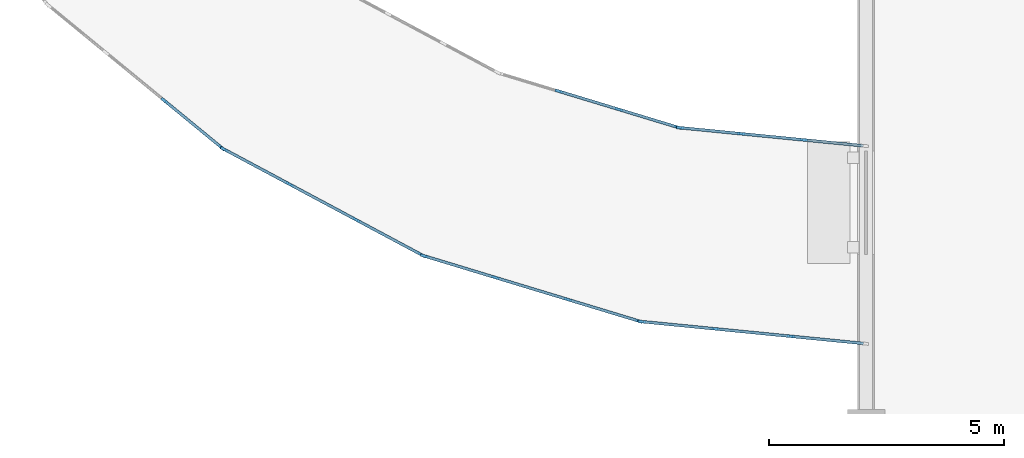
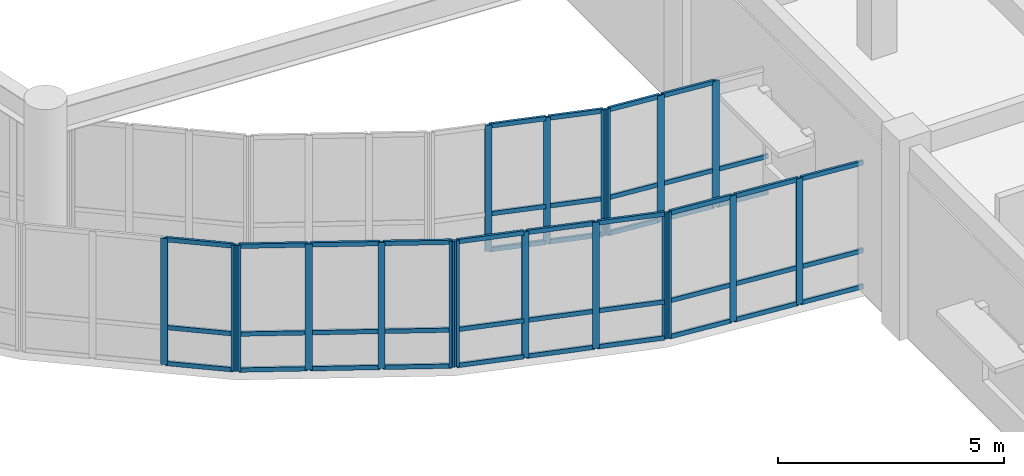
# One storey, part 31 of 72: 63 members, 6 elements without a shape of their own.
"""IFC4 building model written with IfcOpenShell, lengths in metres."""

from ifc_helpers import new_model, si_unit, direction, frame, origin, origin_2d, place, context, subcontext, project, spatial, rectangle, extrude, material, material_profile, profile_set, type_object, element, aggregate, save


model = new_model("IFC4")

# Units and contexts
model_context = context("Model", 3, precision=1e-05, world=origin(), true_north=direction((0.0, 1.0)))
body_context = subcontext(model_context, "Body", "Model", "MODEL_VIEW")
ifc_project = project(units=[si_unit("LENGTHUNIT", "METRE"), si_unit("AREAUNIT", "SQUARE_METRE"), si_unit("VOLUMEUNIT", "CUBIC_METRE"), si_unit("PLANEANGLEUNIT", "RADIAN"), si_unit("MASSUNIT", "GRAM", prefix="KILO")], contexts=[model_context])

# Site, building, storey
site_placement = place(None, origin())
site = spatial("IfcSite", under=ifc_project, at=site_placement, CompositionType="ELEMENT")
building_placement = place(site_placement, origin())
building = spatial("IfcBuilding", under=site, at=building_placement, Name="Veldera Park Congress Hotel", CompositionType="ELEMENT")
storey_placement = place(building_placement, frame((0.0, 0.0, 5.39990234375)))
storey = spatial("IfcBuildingStorey", under=building, at=storey_placement, Name="L01", CompositionType="ELEMENT", Elevation=5.39990234375)

# Curtain wall, members
ifc_material_1 = material(Name="Low-E Triple Insulating Glass Unit (SHGC 0.22)", Category="glass")
curtain_wall_type = type_object("IfcCurtainWallType", Name="CW-BRG", PredefinedType="NOTDEFINED", material=ifc_material_1)
curtain_wall_1_placement = place(storey_placement, origin())
curtain_wall_1 = element("IfcCurtainWall", 1, at=curtain_wall_1_placement, inside=storey, type_object=curtain_wall_type, Name="L01 Curtain Wall CW3-BRGE-L01-A04", PredefinedType="NOTDEFINED")
ifc_material_2 = material(Name="Anodised Aluminium Alloy 6063-T6", Category="aluminium")
ifc_material_profile_1 = material_profile(ifc_material_2, rectangle(XDim=0.06005859375, YDim=0.159912109375, at=origin_2d()), Name="ALU 60x160")
ifc_profile_set_1 = profile_set([ifc_material_profile_1], Name="Anodised Aluminium Alloy 6063-T6")
member_type_1 = type_object("IfcMemberType", Name="CWM-160", PredefinedType="MULLION", material=ifc_profile_set_1)
member_1_placement = place(storey_placement, frame((45.890380859375, -2.034423828125, 0.0), z_axis=(0.0, 0.0, 1.0), x_axis=(0.634402404183, 0.773002968666, 0.0)))
member_1 = element("IfcMember", 2, at=member_1_placement, type_object=member_type_1, Name="CW-BRG mullion 3", PredefinedType="MULLION", context=body_context, shape_type="SweptSolid", body=[
    extrude(rectangle(XDim=0.06005859375, YDim=0.159912109375, at=origin_2d()), origin(), (0.0, 0.0, 1.0), 3.400146484375),
])
member_2_placement = place(storey_placement, frame((47.10986328125, -3.03515625, 0.0), z_axis=(0.0, 0.0, 1.0), x_axis=(0.634402404183, 0.773002968666, 0.0)))
member_2 = element("IfcMember", 3, at=member_2_placement, type_object=member_type_1, Name="CW-BRG mullion 4", PredefinedType="MULLION", context=body_context, shape_type="SweptSolid", body=[
    extrude(rectangle(XDim=0.06005859375, YDim=0.159912109375, at=origin_2d()), origin(), (0.0, 0.0, 1.0), 3.400146484375),
])

curtain_wall_2_placement = place(storey_placement, origin())
curtain_wall_2 = element("IfcCurtainWall", 4, at=curtain_wall_2_placement, inside=storey, type_object=curtain_wall_type, Name="L01 Curtain Wall CW3-BRGE-L01-A05", PredefinedType="NOTDEFINED")
member_3_placement = place(storey_placement, frame((47.159423828125, -3.068359375, 0.0), z_axis=(0.0, 0.0, 1.0), x_axis=(0.471384501415, 0.881927804203, 0.0)))
member_3 = element("IfcMember", 5, at=member_3_placement, type_object=member_type_1, Name="CW-BRG mullion 1", PredefinedType="MULLION", context=body_context, shape_type="SweptSolid", body=[
    extrude(rectangle(XDim=0.06005859375, YDim=0.159912109375, at=origin_2d()), origin(), (0.0, 0.0, 1.0), 3.400146484375),
])
member_4_placement = place(storey_placement, frame((48.55078125, -3.81201171875, 0.0), z_axis=(0.0, 0.0, 1.0), x_axis=(0.471384501415, 0.881927804203, 0.0)))
member_4 = element("IfcMember", 6, at=member_4_placement, type_object=member_type_1, Name="CW-BRG mullion 2", PredefinedType="MULLION", context=body_context, shape_type="SweptSolid", body=[
    extrude(rectangle(XDim=0.06005859375, YDim=0.159912109375, at=origin_2d()), origin(), (0.0, 0.0, 1.0), 3.400146484375),
])
member_5_placement = place(storey_placement, frame((49.96826171875, -4.569580078125, 0.0), z_axis=(0.0, 0.0, 1.0), x_axis=(0.471384501415, 0.881927804203, 0.0)))
member_5 = element("IfcMember", 7, at=member_5_placement, type_object=member_type_1, Name="CW-BRG mullion 3", PredefinedType="MULLION", context=body_context, shape_type="SweptSolid", body=[
    extrude(rectangle(XDim=0.06005859375, YDim=0.159912109375, at=origin_2d()), origin(), (0.0, 0.0, 1.0), 3.400146484375),
])
member_6_placement = place(storey_placement, frame((51.359619140625, -5.313232421875, 0.0), z_axis=(0.0, 0.0, 1.0), x_axis=(0.471384501415, 0.881927804203, 0.0)))
member_6 = element("IfcMember", 8, at=member_6_placement, type_object=member_type_1, Name="CW-BRG mullion 4", PredefinedType="MULLION", context=body_context, shape_type="SweptSolid", body=[
    extrude(rectangle(XDim=0.06005859375, YDim=0.159912109375, at=origin_2d()), origin(), (0.0, 0.0, 1.0), 3.400146484375),
])

curtain_wall_3_placement = place(storey_placement, origin())
curtain_wall_3 = element("IfcCurtainWall", 9, at=curtain_wall_3_placement, inside=storey, type_object=curtain_wall_type, Name="L01 Curtain Wall CW3-BRGE-L01-A06", PredefinedType="NOTDEFINED")
member_7_placement = place(storey_placement, frame((51.414794921875, -5.336181640625, 0.0), z_axis=(0.0, 0.0, 1.0), x_axis=(0.290287663177, 0.956939429957, 0.0)))
member_7 = element("IfcMember", 10, at=member_7_placement, type_object=member_type_1, Name="CW-BRG mullion 1", PredefinedType="MULLION", context=body_context, shape_type="SweptSolid", body=[
    extrude(rectangle(XDim=0.06005859375, YDim=0.159912109375, at=origin_2d()), origin(), (0.0, 0.0, 1.0), 3.400146484375),
])
member_8_placement = place(storey_placement, frame((52.92431640625, -5.7939453125, 0.0), z_axis=(0.0, 0.0, 1.0), x_axis=(0.290287663177, 0.956939429957, 0.0)))
member_8 = element("IfcMember", 11, at=member_8_placement, type_object=member_type_1, Name="CW-BRG mullion 2", PredefinedType="MULLION", context=body_context, shape_type="SweptSolid", body=[
    extrude(rectangle(XDim=0.06005859375, YDim=0.159912109375, at=origin_2d()), origin(), (0.0, 0.0, 1.0), 3.400146484375),
])
member_9_placement = place(storey_placement, frame((54.462646484375, -6.2607421875, 0.0), z_axis=(0.0, 0.0, 1.0), x_axis=(0.290287663177, 0.956939429957, 0.0)))
member_9 = element("IfcMember", 12, at=member_9_placement, type_object=member_type_1, Name="CW-BRG mullion 3", PredefinedType="MULLION", context=body_context, shape_type="SweptSolid", body=[
    extrude(rectangle(XDim=0.06005859375, YDim=0.159912109375, at=origin_2d()), origin(), (0.0, 0.0, 1.0), 3.400146484375),
])
member_10_placement = place(storey_placement, frame((55.97216796875, -6.718505859375, 0.0), z_axis=(0.0, 0.0, 1.0), x_axis=(0.290287663177, 0.956939429957, 0.0)))
member_10 = element("IfcMember", 13, at=member_10_placement, type_object=member_type_1, Name="CW-BRG mullion 4", PredefinedType="MULLION", context=body_context, shape_type="SweptSolid", body=[
    extrude(rectangle(XDim=0.06005859375, YDim=0.159912109375, at=origin_2d()), origin(), (0.0, 0.0, 1.0), 3.400146484375),
])

curtain_wall_4_placement = place(storey_placement, origin())
curtain_wall_4 = element("IfcCurtainWall", 14, at=curtain_wall_4_placement, inside=storey, type_object=curtain_wall_type, Name="L01 Curtain Wall CW3-BRGE-L01-A07", PredefinedType="NOTDEFINED")
member_11_placement = place(storey_placement, frame((56.03076171875, -6.730224609375, 0.0), z_axis=(0.0, 0.0, 1.0), x_axis=(0.098021259481, 0.995184320963, 0.0)))
member_11 = element("IfcMember", 15, at=member_11_placement, type_object=member_type_1, Name="CW-BRG mullion 1", PredefinedType="MULLION", context=body_context, shape_type="SweptSolid", body=[
    extrude(rectangle(XDim=0.06005859375, YDim=0.159912109375, at=origin_2d()), origin(), (0.0, 0.0, 1.0), 3.400146484375),
])
member_12_placement = place(storey_placement, frame((57.6005859375, -6.884765625, 0.0), z_axis=(0.0, 0.0, 1.0), x_axis=(0.098021259481, 0.995184320963, 0.0)))
member_12 = element("IfcMember", 16, at=member_12_placement, type_object=member_type_1, Name="CW-BRG mullion 2", PredefinedType="MULLION", context=body_context, shape_type="SweptSolid", body=[
    extrude(rectangle(XDim=0.06005859375, YDim=0.159912109375, at=origin_2d()), origin(), (0.0, 0.0, 1.0), 3.400146484375),
])
member_13_placement = place(storey_placement, frame((59.2001953125, -7.04248046875, 0.0), z_axis=(0.0, 0.0, 1.0), x_axis=(0.098021259481, 0.995184320963, 0.0)))
member_13 = element("IfcMember", 17, at=member_13_placement, type_object=member_type_1, Name="CW-BRG mullion 3", PredefinedType="MULLION", context=body_context, shape_type="SweptSolid", body=[
    extrude(rectangle(XDim=0.06005859375, YDim=0.159912109375, at=origin_2d()), origin(), (0.0, 0.0, 1.0), 3.400146484375),
])

curtain_wall_5_placement = place(storey_placement, origin())
curtain_wall_5 = element("IfcCurtainWall", 18, at=curtain_wall_5_placement, inside=storey, type_object=curtain_wall_type, Name="L01 Curtain Wall CW3-BRGE-L01-B09", PredefinedType="NOTDEFINED")
member_14_placement = place(storey_placement, frame((59.473388671875, -2.869384765625, 0.0), z_axis=(0.0, 0.0, 1.0), x_axis=(-0.098023062513, -0.99518414337, 0.0)))
member_14 = element("IfcMember", 19, at=member_14_placement, type_object=member_type_1, Name="CW-BRG mullion 2", PredefinedType="MULLION", context=body_context, shape_type="SweptSolid", body=[
    extrude(rectangle(XDim=0.06005859375, YDim=0.159912109375, at=origin_2d()), origin(), (0.0, 0.0, 1.0), 3.400146484375),
])
member_15_placement = place(storey_placement, frame((58.146728515625, -2.73876953125, 0.0), z_axis=(0.0, 0.0, 1.0), x_axis=(-0.098023062513, -0.99518414337, 0.0)))
member_15 = element("IfcMember", 20, at=member_15_placement, type_object=member_type_1, Name="CW-BRG mullion 3", PredefinedType="MULLION", context=body_context, shape_type="SweptSolid", body=[
    extrude(rectangle(XDim=0.06005859375, YDim=0.159912109375, at=origin_2d()), origin(), (0.0, 0.0, 1.0), 3.400146484375),
])
member_16_placement = place(storey_placement, frame((56.85009765625, -2.61083984375, 0.0), z_axis=(0.0, 0.0, 1.0), x_axis=(-0.098023062513, -0.99518414337, 0.0)))
member_16 = element("IfcMember", 21, at=member_16_placement, type_object=member_type_1, Name="CW-BRG mullion 4", PredefinedType="MULLION", context=body_context, shape_type="SweptSolid", body=[
    extrude(rectangle(XDim=0.06005859375, YDim=0.159912109375, at=origin_2d()), origin(), (0.0, 0.0, 1.0), 3.400146484375),
])

curtain_wall_6_placement = place(storey_placement, origin())
curtain_wall_6 = element("IfcCurtainWall", 22, at=curtain_wall_6_placement, inside=storey, type_object=curtain_wall_type, Name="L01 Curtain Wall CW3-BRGE-L01-B10", PredefinedType="NOTDEFINED")
member_17_placement = place(storey_placement, frame((56.79150390625, -2.599365234375, 0.0), z_axis=(0.0, 0.0, 1.0), x_axis=(-0.290289846929, -0.956938767513, 0.0)))
member_17 = element("IfcMember", 23, at=member_17_placement, type_object=member_type_1, Name="CW-BRG mullion 1", PredefinedType="MULLION", context=body_context, shape_type="SweptSolid", body=[
    extrude(rectangle(XDim=0.06005859375, YDim=0.159912109375, at=origin_2d()), origin(), (0.0, 0.0, 1.0), 3.400146484375),
])
member_18_placement = place(storey_placement, frame((55.544677734375, -2.220947265625, 0.0), z_axis=(0.0, 0.0, 1.0), x_axis=(-0.290289846929, -0.956938767513, 0.0)))
member_18 = element("IfcMember", 24, at=member_18_placement, type_object=member_type_1, Name="CW-BRG mullion 2", PredefinedType="MULLION", context=body_context, shape_type="SweptSolid", body=[
    extrude(rectangle(XDim=0.06005859375, YDim=0.159912109375, at=origin_2d()), origin(), (0.0, 0.0, 1.0), 3.400146484375),
])
member_19_placement = place(storey_placement, frame((54.26904296875, -1.833984375, 0.0), z_axis=(0.0, 0.0, 1.0), x_axis=(-0.290289846929, -0.956938767513, 0.0)))
member_19 = element("IfcMember", 25, at=member_19_placement, type_object=member_type_1, Name="CW-BRG mullion 3", PredefinedType="MULLION", context=body_context, shape_type="SweptSolid", body=[
    extrude(rectangle(XDim=0.06005859375, YDim=0.159912109375, at=origin_2d()), origin(), (0.0, 0.0, 1.0), 3.400146484375),
])

# Member
ifc_material_profile_2 = material_profile(ifc_material_2, rectangle(XDim=0.06005859375, YDim=0.1201171875, at=origin_2d()), Name="ALU 60x120")
ifc_profile_set_2 = profile_set([ifc_material_profile_2], Name="Anodised Aluminium Alloy 6063-T6")
member_type_2 = type_object("IfcMemberType", Name="CWT-120", PredefinedType="USERDEFINED", material=ifc_profile_set_2)
member_20_placement = place(storey_placement, frame((45.91357421875, -2.053466796875, 0.030029296875), z_axis=(0.773038980381, -0.634358522298, 0.0), x_axis=(0.634358522298, 0.773038980381, 0.0)))
member_20 = element("IfcMember", 26, at=member_20_placement, type_object=member_type_2, Name="CW-BRG transom 3.1", ObjectType="TRANSOM", PredefinedType="USERDEFINED", context=body_context, shape_type="SweptSolid", body=[
    extrude(rectangle(XDim=0.06005859375, YDim=0.1201171875, at=origin_2d()), origin(), (0.0, 0.0, 1.0), 1.517578125),
])

member_21_placement = place(storey_placement, frame((45.91357421875, -2.053466796875, 1.0), z_axis=(0.773038980381, -0.634358522298, 0.0), x_axis=(0.634358522298, 0.773038980381, 0.0)))
member_21 = element("IfcMember", 27, at=member_21_placement, type_object=member_type_2, Name="CW-BRG transom 3.2", ObjectType="TRANSOM", PredefinedType="USERDEFINED", context=body_context, shape_type="SweptSolid", body=[
    extrude(rectangle(XDim=0.06005859375, YDim=0.1201171875, at=origin_2d()), origin(), (0.0, 0.0, 1.0), 1.517578125),
])

member_22_placement = place(storey_placement, frame((45.91357421875, -2.053466796875, 3.3701171875), z_axis=(0.773038980381, -0.634358522298, 0.0), x_axis=(0.634358522298, 0.773038980381, 0.0)))
member_22 = element("IfcMember", 28, at=member_22_placement, type_object=member_type_2, Name="CW-BRG transom 3.3", ObjectType="TRANSOM", PredefinedType="USERDEFINED", context=body_context, shape_type="SweptSolid", body=[
    extrude(rectangle(XDim=0.06005859375, YDim=0.1201171875, at=origin_2d()), origin(), (0.0, 0.0, 1.0), 1.517578125),
])

aggregate(curtain_wall_1, [member_1, member_2, member_20, member_21, member_22])

member_23_placement = place(storey_placement, frame((47.18603515625, -3.08251953125, 0.030029296875), z_axis=(0.881898221373, -0.471439844667, 0.0), x_axis=(0.471439844667, 0.881898221373, 0.0)))
member_23 = element("IfcMember", 29, at=member_23_placement, type_object=member_type_2, Name="CW-BRG transom 1.1", ObjectType="TRANSOM", PredefinedType="USERDEFINED", context=body_context, shape_type="SweptSolid", body=[
    extrude(rectangle(XDim=0.06005859375, YDim=0.1201171875, at=origin_2d()), origin(), (0.0, 0.0, 1.0), 1.517333984375),
])

member_24_placement = place(storey_placement, frame((47.18603515625, -3.08251953125, 1.0), z_axis=(0.881898221373, -0.471439844667, 0.0), x_axis=(0.471439844667, 0.881898221373, 0.0)))
member_24 = element("IfcMember", 30, at=member_24_placement, type_object=member_type_2, Name="CW-BRG transom 1.2", ObjectType="TRANSOM", PredefinedType="USERDEFINED", context=body_context, shape_type="SweptSolid", body=[
    extrude(rectangle(XDim=0.06005859375, YDim=0.1201171875, at=origin_2d()), origin(), (0.0, 0.0, 1.0), 1.517333984375),
])

member_25_placement = place(storey_placement, frame((47.18603515625, -3.08251953125, 3.3701171875), z_axis=(0.881898221373, -0.471439844667, 0.0), x_axis=(0.471439844667, 0.881898221373, 0.0)))
member_25 = element("IfcMember", 31, at=member_25_placement, type_object=member_type_2, Name="CW-BRG transom 1.3", ObjectType="TRANSOM", PredefinedType="USERDEFINED", context=body_context, shape_type="SweptSolid", body=[
    extrude(rectangle(XDim=0.06005859375, YDim=0.1201171875, at=origin_2d()), origin(), (0.0, 0.0, 1.0), 1.517333984375),
])

member_26_placement = place(storey_placement, frame((48.5771484375, -3.826171875, 0.030029296875), z_axis=(0.881981423245, -0.471284170167, 0.0), x_axis=(0.471284170167, 0.881981423245, 0.0)))
member_26 = element("IfcMember", 32, at=member_26_placement, type_object=member_type_2, Name="CW-BRG transom 2.1", ObjectType="TRANSOM", PredefinedType="USERDEFINED", context=body_context, shape_type="SweptSolid", body=[
    extrude(rectangle(XDim=0.06005859375, YDim=0.1201171875, at=origin_2d()), origin(), (0.0, 0.0, 1.0), 1.54736328125),
])

member_27_placement = place(storey_placement, frame((48.5771484375, -3.826171875, 1.0), z_axis=(0.881981423245, -0.471284170167, 0.0), x_axis=(0.471284170167, 0.881981423245, 0.0)))
member_27 = element("IfcMember", 33, at=member_27_placement, type_object=member_type_2, Name="CW-BRG transom 2.2", ObjectType="TRANSOM", PredefinedType="USERDEFINED", context=body_context, shape_type="SweptSolid", body=[
    extrude(rectangle(XDim=0.06005859375, YDim=0.1201171875, at=origin_2d()), origin(), (0.0, 0.0, 1.0), 1.54736328125),
])

member_28_placement = place(storey_placement, frame((48.5771484375, -3.826171875, 3.3701171875), z_axis=(0.881981423245, -0.471284170167, 0.0), x_axis=(0.471284170167, 0.881981423245, 0.0)))
member_28 = element("IfcMember", 34, at=member_28_placement, type_object=member_type_2, Name="CW-BRG transom 2.3", ObjectType="TRANSOM", PredefinedType="USERDEFINED", context=body_context, shape_type="SweptSolid", body=[
    extrude(rectangle(XDim=0.06005859375, YDim=0.1201171875, at=origin_2d()), origin(), (0.0, 0.0, 1.0), 1.54736328125),
])

member_29_placement = place(storey_placement, frame((49.994873046875, -4.583740234375, 0.030029296875), z_axis=(0.881898221373, -0.471439844667, 0.0), x_axis=(0.471439844667, 0.881898221373, 0.0)))
member_29 = element("IfcMember", 35, at=member_29_placement, type_object=member_type_2, Name="CW-BRG transom 3.1", ObjectType="TRANSOM", PredefinedType="USERDEFINED", context=body_context, shape_type="SweptSolid", body=[
    extrude(rectangle(XDim=0.06005859375, YDim=0.1201171875, at=origin_2d()), origin(), (0.0, 0.0, 1.0), 1.517333984375),
])

member_30_placement = place(storey_placement, frame((49.994873046875, -4.583740234375, 1.0), z_axis=(0.881898221373, -0.471439844667, 0.0), x_axis=(0.471439844667, 0.881898221373, 0.0)))
member_30 = element("IfcMember", 36, at=member_30_placement, type_object=member_type_2, Name="CW-BRG transom 3.2", ObjectType="TRANSOM", PredefinedType="USERDEFINED", context=body_context, shape_type="SweptSolid", body=[
    extrude(rectangle(XDim=0.06005859375, YDim=0.1201171875, at=origin_2d()), origin(), (0.0, 0.0, 1.0), 1.517333984375),
])

member_31_placement = place(storey_placement, frame((49.994873046875, -4.583740234375, 3.3701171875), z_axis=(0.881898221373, -0.471439844667, 0.0), x_axis=(0.471439844667, 0.881898221373, 0.0)))
member_31 = element("IfcMember", 37, at=member_31_placement, type_object=member_type_2, Name="CW-BRG transom 3.3", ObjectType="TRANSOM", PredefinedType="USERDEFINED", context=body_context, shape_type="SweptSolid", body=[
    extrude(rectangle(XDim=0.06005859375, YDim=0.1201171875, at=origin_2d()), origin(), (0.0, 0.0, 1.0), 1.517333984375),
])

aggregate(curtain_wall_2, [member_3, member_4, member_5, member_6, member_23, member_24, member_25, member_26, member_27, member_28, member_29, member_30, member_31])

member_32_placement = place(storey_placement, frame((51.443359375, -5.3447265625, 0.030029296875), z_axis=(0.956909318834, -0.290386906607, 0.0), x_axis=(0.290386906607, 0.956909318834, 0.0)))
member_32 = element("IfcMember", 38, at=member_32_placement, type_object=member_type_2, Name="CW-BRG transom 1.1", ObjectType="TRANSOM", PredefinedType="USERDEFINED", context=body_context, shape_type="SweptSolid", body=[
    extrude(rectangle(XDim=0.06005859375, YDim=0.1201171875, at=origin_2d()), origin(), (0.0, 0.0, 1.0), 1.517578125),
])

member_33_placement = place(storey_placement, frame((51.443359375, -5.3447265625, 1.0), z_axis=(0.956909318834, -0.290386906607, 0.0), x_axis=(0.290386906607, 0.956909318834, 0.0)))
member_33 = element("IfcMember", 39, at=member_33_placement, type_object=member_type_2, Name="CW-BRG transom 1.2", ObjectType="TRANSOM", PredefinedType="USERDEFINED", context=body_context, shape_type="SweptSolid", body=[
    extrude(rectangle(XDim=0.06005859375, YDim=0.1201171875, at=origin_2d()), origin(), (0.0, 0.0, 1.0), 1.517578125),
])

member_34_placement = place(storey_placement, frame((51.443359375, -5.3447265625, 3.3701171875), z_axis=(0.956909318834, -0.290386906607, 0.0), x_axis=(0.290386906607, 0.956909318834, 0.0)))
member_34 = element("IfcMember", 40, at=member_34_placement, type_object=member_type_2, Name="CW-BRG transom 1.3", ObjectType="TRANSOM", PredefinedType="USERDEFINED", context=body_context, shape_type="SweptSolid", body=[
    extrude(rectangle(XDim=0.06005859375, YDim=0.1201171875, at=origin_2d()), origin(), (0.0, 0.0, 1.0), 1.517578125),
])

member_35_placement = place(storey_placement, frame((52.952880859375, -5.802734375, 0.030029296875), z_axis=(0.9569447609, -0.29027008903, 0.0), x_axis=(0.29027008903, 0.9569447609, 0.0)))
member_35 = element("IfcMember", 41, at=member_35_placement, type_object=member_type_2, Name="CW-BRG transom 2.1", ObjectType="TRANSOM", PredefinedType="USERDEFINED", context=body_context, shape_type="SweptSolid", body=[
    extrude(rectangle(XDim=0.06005859375, YDim=0.1201171875, at=origin_2d()), origin(), (0.0, 0.0, 1.0), 1.547607421875),
])

member_36_placement = place(storey_placement, frame((52.952880859375, -5.802734375, 1.0), z_axis=(0.9569447609, -0.29027008903, 0.0), x_axis=(0.29027008903, 0.9569447609, 0.0)))
member_36 = element("IfcMember", 42, at=member_36_placement, type_object=member_type_2, Name="CW-BRG transom 2.2", ObjectType="TRANSOM", PredefinedType="USERDEFINED", context=body_context, shape_type="SweptSolid", body=[
    extrude(rectangle(XDim=0.06005859375, YDim=0.1201171875, at=origin_2d()), origin(), (0.0, 0.0, 1.0), 1.547607421875),
])

member_37_placement = place(storey_placement, frame((52.952880859375, -5.802734375, 3.3701171875), z_axis=(0.9569447609, -0.29027008903, 0.0), x_axis=(0.29027008903, 0.9569447609, 0.0)))
member_37 = element("IfcMember", 43, at=member_37_placement, type_object=member_type_2, Name="CW-BRG transom 2.3", ObjectType="TRANSOM", PredefinedType="USERDEFINED", context=body_context, shape_type="SweptSolid", body=[
    extrude(rectangle(XDim=0.06005859375, YDim=0.1201171875, at=origin_2d()), origin(), (0.0, 0.0, 1.0), 1.547607421875),
])

member_38_placement = place(storey_placement, frame((54.4912109375, -6.269287109375, 0.030029296875), z_axis=(0.956909318834, -0.290386906607, 0.0), x_axis=(0.290386906607, 0.956909318834, 0.0)))
member_38 = element("IfcMember", 44, at=member_38_placement, type_object=member_type_2, Name="CW-BRG transom 3.1", ObjectType="TRANSOM", PredefinedType="USERDEFINED", context=body_context, shape_type="SweptSolid", body=[
    extrude(rectangle(XDim=0.06005859375, YDim=0.1201171875, at=origin_2d()), origin(), (0.0, 0.0, 1.0), 1.517578125),
])

member_39_placement = place(storey_placement, frame((54.4912109375, -6.269287109375, 1.0), z_axis=(0.956909318834, -0.290386906607, 0.0), x_axis=(0.290386906607, 0.956909318834, 0.0)))
member_39 = element("IfcMember", 45, at=member_39_placement, type_object=member_type_2, Name="CW-BRG transom 3.2", ObjectType="TRANSOM", PredefinedType="USERDEFINED", context=body_context, shape_type="SweptSolid", body=[
    extrude(rectangle(XDim=0.06005859375, YDim=0.1201171875, at=origin_2d()), origin(), (0.0, 0.0, 1.0), 1.517578125),
])

member_40_placement = place(storey_placement, frame((54.4912109375, -6.269287109375, 3.3701171875), z_axis=(0.956909318834, -0.290386906607, 0.0), x_axis=(0.290386906607, 0.956909318834, 0.0)))
member_40 = element("IfcMember", 46, at=member_40_placement, type_object=member_type_2, Name="CW-BRG transom 3.3", ObjectType="TRANSOM", PredefinedType="USERDEFINED", context=body_context, shape_type="SweptSolid", body=[
    extrude(rectangle(XDim=0.06005859375, YDim=0.1201171875, at=origin_2d()), origin(), (0.0, 0.0, 1.0), 1.517578125),
])

aggregate(curtain_wall_3, [member_7, member_8, member_9, member_10, member_32, member_33, member_34, member_35, member_36, member_37, member_38, member_39, member_40])

member_41_placement = place(storey_placement, frame((56.060546875, -6.733154296875, 0.030029296875), z_axis=(0.995187383996, -0.097990156322, 0.0), x_axis=(0.097990156322, 0.995187383996, 0.0)))
member_41 = element("IfcMember", 47, at=member_41_placement, type_object=member_type_2, Name="CW-BRG transom 1.1", ObjectType="TRANSOM", PredefinedType="USERDEFINED", context=body_context, shape_type="SweptSolid", body=[
    extrude(rectangle(XDim=0.06005859375, YDim=0.1201171875, at=origin_2d()), origin(), (0.0, 0.0, 1.0), 1.517333984375),
])

member_42_placement = place(storey_placement, frame((56.060546875, -6.733154296875, 1.0), z_axis=(0.995187383996, -0.097990156322, 0.0), x_axis=(0.097990156322, 0.995187383996, 0.0)))
member_42 = element("IfcMember", 48, at=member_42_placement, type_object=member_type_2, Name="CW-BRG transom 1.2", ObjectType="TRANSOM", PredefinedType="USERDEFINED", context=body_context, shape_type="SweptSolid", body=[
    extrude(rectangle(XDim=0.06005859375, YDim=0.1201171875, at=origin_2d()), origin(), (0.0, 0.0, 1.0), 1.517333984375),
])

member_43_placement = place(storey_placement, frame((56.060546875, -6.733154296875, 3.3701171875), z_axis=(0.995187383996, -0.097990156322, 0.0), x_axis=(0.097990156322, 0.995187383996, 0.0)))
member_43 = element("IfcMember", 49, at=member_43_placement, type_object=member_type_2, Name="CW-BRG transom 1.3", ObjectType="TRANSOM", PredefinedType="USERDEFINED", context=body_context, shape_type="SweptSolid", body=[
    extrude(rectangle(XDim=0.06005859375, YDim=0.1201171875, at=origin_2d()), origin(), (0.0, 0.0, 1.0), 1.517333984375),
])

member_44_placement = place(storey_placement, frame((57.63037109375, -6.8876953125, 0.030029296875), z_axis=(0.995173698289, -0.09812904888, 0.0), x_axis=(0.09812904888, 0.995173698289, 0.0)))
member_44 = element("IfcMember", 50, at=member_44_placement, type_object=member_type_2, Name="CW-BRG transom 2.1", ObjectType="TRANSOM", PredefinedType="USERDEFINED", context=body_context, shape_type="SweptSolid", body=[
    extrude(rectangle(XDim=0.06005859375, YDim=0.1201171875, at=origin_2d()), origin(), (0.0, 0.0, 1.0), 1.547607421875),
])

member_45_placement = place(storey_placement, frame((57.63037109375, -6.8876953125, 1.0), z_axis=(0.995173698289, -0.09812904888, 0.0), x_axis=(0.09812904888, 0.995173698289, 0.0)))
member_45 = element("IfcMember", 51, at=member_45_placement, type_object=member_type_2, Name="CW-BRG transom 2.2", ObjectType="TRANSOM", PredefinedType="USERDEFINED", context=body_context, shape_type="SweptSolid", body=[
    extrude(rectangle(XDim=0.06005859375, YDim=0.1201171875, at=origin_2d()), origin(), (0.0, 0.0, 1.0), 1.547607421875),
])

member_46_placement = place(storey_placement, frame((57.63037109375, -6.8876953125, 3.3701171875), z_axis=(0.995173698289, -0.09812904888, 0.0), x_axis=(0.09812904888, 0.995173698289, 0.0)))
member_46 = element("IfcMember", 52, at=member_46_placement, type_object=member_type_2, Name="CW-BRG transom 2.3", ObjectType="TRANSOM", PredefinedType="USERDEFINED", context=body_context, shape_type="SweptSolid", body=[
    extrude(rectangle(XDim=0.06005859375, YDim=0.1201171875, at=origin_2d()), origin(), (0.0, 0.0, 1.0), 1.547607421875),
])

member_47_placement = place(storey_placement, frame((59.230224609375, -7.04541015625, 0.030029296875), z_axis=(0.995187383996, -0.097990156322, 0.0), x_axis=(0.097990156322, 0.995187383996, 0.0)))
member_47 = element("IfcMember", 53, at=member_47_placement, type_object=member_type_2, Name="CW-BRG transom 3.1", ObjectType="TRANSOM", PredefinedType="USERDEFINED", context=body_context, shape_type="SweptSolid", body=[
    extrude(rectangle(XDim=0.06005859375, YDim=0.1201171875, at=origin_2d()), origin(), (0.0, 0.0, 1.0), 1.517333984375),
])

member_48_placement = place(storey_placement, frame((59.230224609375, -7.04541015625, 1.0), z_axis=(0.995187383996, -0.097990156322, 0.0), x_axis=(0.097990156322, 0.995187383996, 0.0)))
member_48 = element("IfcMember", 54, at=member_48_placement, type_object=member_type_2, Name="CW-BRG transom 3.2", ObjectType="TRANSOM", PredefinedType="USERDEFINED", context=body_context, shape_type="SweptSolid", body=[
    extrude(rectangle(XDim=0.06005859375, YDim=0.1201171875, at=origin_2d()), origin(), (0.0, 0.0, 1.0), 1.517333984375),
])

member_49_placement = place(storey_placement, frame((59.230224609375, -7.04541015625, 3.3701171875), z_axis=(0.995187383996, -0.097990156322, 0.0), x_axis=(0.097990156322, 0.995187383996, 0.0)))
member_49 = element("IfcMember", 55, at=member_49_placement, type_object=member_type_2, Name="CW-BRG transom 3.3", ObjectType="TRANSOM", PredefinedType="USERDEFINED", context=body_context, shape_type="SweptSolid", body=[
    extrude(rectangle(XDim=0.06005859375, YDim=0.1201171875, at=origin_2d()), origin(), (0.0, 0.0, 1.0), 1.517333984375),
])

aggregate(curtain_wall_4, [member_11, member_12, member_13, member_41, member_42, member_43, member_44, member_45, member_46, member_47, member_48, member_49])

member_50_placement = place(storey_placement, frame((60.740234375, -2.994140625, 0.030029296875), z_axis=(-0.995185798349, 0.098006258807, 0.0), x_axis=(-0.098006258807, -0.995185798349, 0.0)))
member_50 = element("IfcMember", 56, at=member_50_placement, type_object=member_type_2, Name="CW-BRG transom 1.1", ObjectType="TRANSOM", PredefinedType="USERDEFINED", context=body_context, shape_type="SweptSolid", body=[
    extrude(rectangle(XDim=0.06005859375, YDim=0.1201171875, at=origin_2d()), origin(), (0.0, 0.0, 1.0), 1.2431640625),
])

member_51_placement = place(storey_placement, frame((60.740234375, -2.994140625, 1.0), z_axis=(-0.995185798349, 0.098006258807, 0.0), x_axis=(-0.098006258807, -0.995185798349, 0.0)))
member_51 = element("IfcMember", 57, at=member_51_placement, type_object=member_type_2, Name="CW-BRG transom 1.2", ObjectType="TRANSOM", PredefinedType="USERDEFINED", context=body_context, shape_type="SweptSolid", body=[
    extrude(rectangle(XDim=0.06005859375, YDim=0.1201171875, at=origin_2d()), origin(), (0.0, 0.0, 1.0), 1.2431640625),
])

member_52_placement = place(storey_placement, frame((59.443603515625, -2.866455078125, 0.030029296875), z_axis=(-0.995186071531, 0.098003484786, 0.0), x_axis=(-0.098003484786, -0.995186071531, 0.0)))
member_52 = element("IfcMember", 58, at=member_52_placement, type_object=member_type_2, Name="CW-BRG transom 2.1", ObjectType="TRANSOM", PredefinedType="USERDEFINED", context=body_context, shape_type="SweptSolid", body=[
    extrude(rectangle(XDim=0.06005859375, YDim=0.1201171875, at=origin_2d()), origin(), (0.0, 0.0, 1.0), 1.27294921875),
])

member_53_placement = place(storey_placement, frame((59.443603515625, -2.866455078125, 1.0), z_axis=(-0.995186071531, 0.098003484786, 0.0), x_axis=(-0.098003484786, -0.995186071531, 0.0)))
member_53 = element("IfcMember", 59, at=member_53_placement, type_object=member_type_2, Name="CW-BRG transom 2.2", ObjectType="TRANSOM", PredefinedType="USERDEFINED", context=body_context, shape_type="SweptSolid", body=[
    extrude(rectangle(XDim=0.06005859375, YDim=0.1201171875, at=origin_2d()), origin(), (0.0, 0.0, 1.0), 1.27294921875),
])

member_54_placement = place(storey_placement, frame((59.443603515625, -2.866455078125, 3.3701171875), z_axis=(-0.995186071531, 0.098003484786, 0.0), x_axis=(-0.098003484786, -0.995186071531, 0.0)))
member_54 = element("IfcMember", 60, at=member_54_placement, type_object=member_type_2, Name="CW-BRG transom 2.3", ObjectType="TRANSOM", PredefinedType="USERDEFINED", context=body_context, shape_type="SweptSolid", body=[
    extrude(rectangle(XDim=0.06005859375, YDim=0.1201171875, at=origin_2d()), origin(), (0.0, 0.0, 1.0), 1.27294921875),
])

member_55_placement = place(storey_placement, frame((58.116943359375, -2.73583984375, 0.030029296875), z_axis=(-0.995166623425, 0.098200771998, 0.0), x_axis=(-0.098200771998, -0.995166623425, 0.0)))
member_55 = element("IfcMember", 61, at=member_55_placement, type_object=member_type_2, Name="CW-BRG transom 3.1", ObjectType="TRANSOM", PredefinedType="USERDEFINED", context=body_context, shape_type="SweptSolid", body=[
    extrude(rectangle(XDim=0.06005859375, YDim=0.1201171875, at=origin_2d()), origin(), (0.0, 0.0, 1.0), 1.2431640625),
])

member_56_placement = place(storey_placement, frame((58.116943359375, -2.73583984375, 1.0), z_axis=(-0.995166623425, 0.098200771998, 0.0), x_axis=(-0.098200771998, -0.995166623425, 0.0)))
member_56 = element("IfcMember", 62, at=member_56_placement, type_object=member_type_2, Name="CW-BRG transom 3.2", ObjectType="TRANSOM", PredefinedType="USERDEFINED", context=body_context, shape_type="SweptSolid", body=[
    extrude(rectangle(XDim=0.06005859375, YDim=0.1201171875, at=origin_2d()), origin(), (0.0, 0.0, 1.0), 1.2431640625),
])

member_57_placement = place(storey_placement, frame((58.116943359375, -2.73583984375, 3.3701171875), z_axis=(-0.995166623425, 0.098200771998, 0.0), x_axis=(-0.098200771998, -0.995166623425, 0.0)))
member_57 = element("IfcMember", 63, at=member_57_placement, type_object=member_type_2, Name="CW-BRG transom 3.3", ObjectType="TRANSOM", PredefinedType="USERDEFINED", context=body_context, shape_type="SweptSolid", body=[
    extrude(rectangle(XDim=0.06005859375, YDim=0.1201171875, at=origin_2d()), origin(), (0.0, 0.0, 1.0), 1.2431640625),
])

aggregate(curtain_wall_5, [member_14, member_15, member_16, member_50, member_51, member_52, member_53, member_54, member_55, member_56, member_57])

member_58_placement = place(storey_placement, frame((56.7626953125, -2.590576171875, 0.030029296875), z_axis=(-0.956935154583, 0.290301756665, 0.0), x_axis=(-0.290301756665, -0.956935154583, 0.0)))
member_58 = element("IfcMember", 64, at=member_58_placement, type_object=member_type_2, Name="CW-BRG transom 1.1", ObjectType="TRANSOM", PredefinedType="USERDEFINED", context=body_context, shape_type="SweptSolid", body=[
    extrude(rectangle(XDim=0.06005859375, YDim=0.1201171875, at=origin_2d()), origin(), (0.0, 0.0, 1.0), 1.242919921875),
])

member_59_placement = place(storey_placement, frame((56.7626953125, -2.590576171875, 1.0), z_axis=(-0.956935154583, 0.290301756665, 0.0), x_axis=(-0.290301756665, -0.956935154583, 0.0)))
member_59 = element("IfcMember", 65, at=member_59_placement, type_object=member_type_2, Name="CW-BRG transom 1.2", ObjectType="TRANSOM", PredefinedType="USERDEFINED", context=body_context, shape_type="SweptSolid", body=[
    extrude(rectangle(XDim=0.06005859375, YDim=0.1201171875, at=origin_2d()), origin(), (0.0, 0.0, 1.0), 1.242919921875),
])

member_60_placement = place(storey_placement, frame((56.7626953125, -2.590576171875, 3.3701171875), z_axis=(-0.956935154583, 0.290301756665, 0.0), x_axis=(-0.290301756665, -0.956935154583, 0.0)))
member_60 = element("IfcMember", 66, at=member_60_placement, type_object=member_type_2, Name="CW-BRG transom 1.3", ObjectType="TRANSOM", PredefinedType="USERDEFINED", context=body_context, shape_type="SweptSolid", body=[
    extrude(rectangle(XDim=0.06005859375, YDim=0.1201171875, at=origin_2d()), origin(), (0.0, 0.0, 1.0), 1.242919921875),
])

member_61_placement = place(storey_placement, frame((55.515869140625, -2.21240234375, 0.030029296875), z_axis=(-0.956924350559, 0.290337368086, 0.0), x_axis=(-0.290337368086, -0.956924350559, 0.0)))
member_61 = element("IfcMember", 67, at=member_61_placement, type_object=member_type_2, Name="CW-BRG transom 2.1", ObjectType="TRANSOM", PredefinedType="USERDEFINED", context=body_context, shape_type="SweptSolid", body=[
    extrude(rectangle(XDim=0.06005859375, YDim=0.1201171875, at=origin_2d()), origin(), (0.0, 0.0, 1.0), 1.273193359375),
])

member_62_placement = place(storey_placement, frame((55.515869140625, -2.21240234375, 1.0), z_axis=(-0.956924350559, 0.290337368086, 0.0), x_axis=(-0.290337368086, -0.956924350559, 0.0)))
member_62 = element("IfcMember", 68, at=member_62_placement, type_object=member_type_2, Name="CW-BRG transom 2.2", ObjectType="TRANSOM", PredefinedType="USERDEFINED", context=body_context, shape_type="SweptSolid", body=[
    extrude(rectangle(XDim=0.06005859375, YDim=0.1201171875, at=origin_2d()), origin(), (0.0, 0.0, 1.0), 1.273193359375),
])

member_63_placement = place(storey_placement, frame((55.515869140625, -2.21240234375, 3.3701171875), z_axis=(-0.956924350559, 0.290337368086, 0.0), x_axis=(-0.290337368086, -0.956924350559, 0.0)))
member_63 = element("IfcMember", 69, at=member_63_placement, type_object=member_type_2, Name="CW-BRG transom 2.3", ObjectType="TRANSOM", PredefinedType="USERDEFINED", context=body_context, shape_type="SweptSolid", body=[
    extrude(rectangle(XDim=0.06005859375, YDim=0.1201171875, at=origin_2d()), origin(), (0.0, 0.0, 1.0), 1.273193359375),
])

aggregate(curtain_wall_6, [member_17, member_18, member_19, member_58, member_59, member_60, member_61, member_62, member_63])

save(model, "model.ifc")
